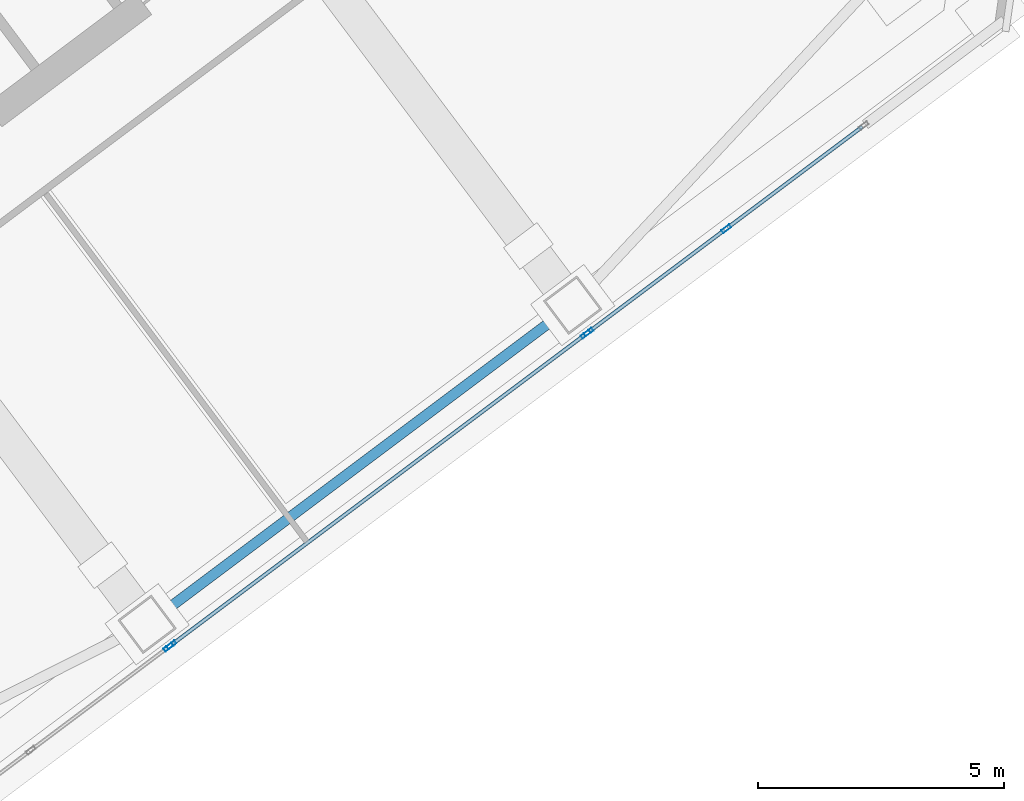
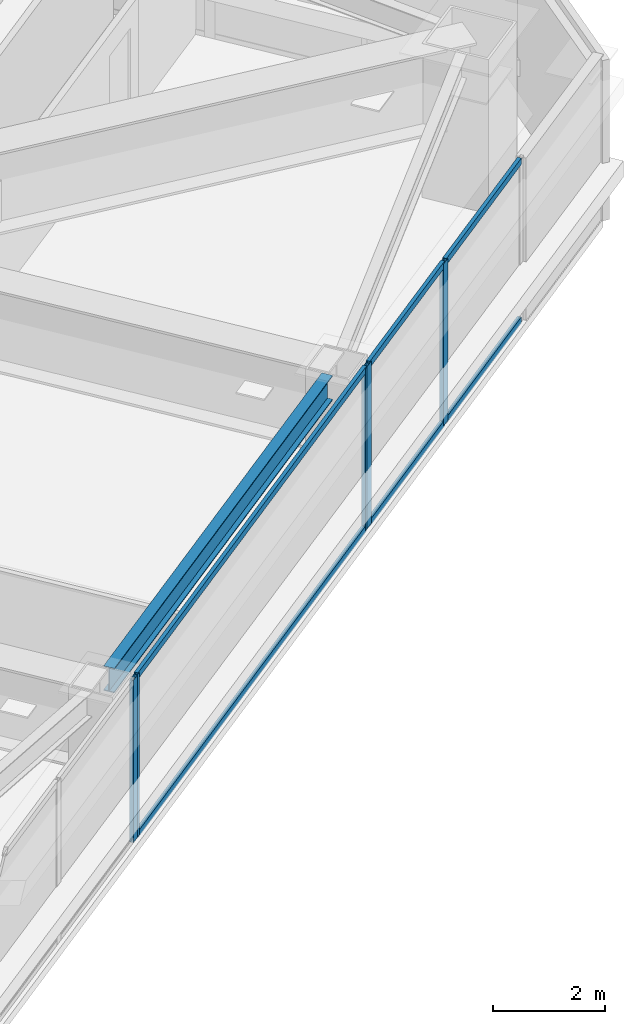
# One storey, part 23 of 42: 11 members, 1 beam, 3 elements without a shape of their own.
"""IFC4 building model written with IfcOpenShell, lengths in metres."""

from ifc_helpers import new_model, si_unit, direction, frame, origin, origin_2d, place, context, subcontext, project, spatial, hollow_rectangle, i_section, extrude, material, material_profile, profile_set, type_object, element, aggregate, save


model = new_model("IFC4")

# Units and contexts
model_context = context("Model", 3, precision=1e-05, world=origin(), true_north=direction((0.0, 1.0)))
body_context = subcontext(model_context, "Body", "Model", "MODEL_VIEW")
ifc_project = project(units=[si_unit("LENGTHUNIT", "METRE"), si_unit("AREAUNIT", "SQUARE_METRE"), si_unit("VOLUMEUNIT", "CUBIC_METRE"), si_unit("PLANEANGLEUNIT", "RADIAN"), si_unit("MASSUNIT", "GRAM", prefix="KILO")], contexts=[model_context])

# Site, building, storey
site_placement = place(None, origin())
site = spatial("IfcSite", under=ifc_project, at=site_placement, CompositionType="ELEMENT")
building_placement = place(site_placement, origin())
building = spatial("IfcBuilding", under=site, at=building_placement, Name="Tashvorn Skyway Center", CompositionType="ELEMENT")
storey_placement = place(building_placement, frame((0.0, 0.0, 153.449951171875)))
storey = spatial("IfcBuildingStorey", under=building, at=storey_placement, Name="L41", CompositionType="ELEMENT", Elevation=153.449951171875)

# Beam
ifc_material_1 = material(Name="Steel ASTM A992 Grade 50", Category="steel")
ifc_material_profile_1 = material_profile(ifc_material_1, i_section(OverallWidth=0.2109375, OverallDepth=0.5390625, WebThickness=0.01171875, FlangeThickness=0.018798828125, at=origin_2d()), Name="W21X73")
ifc_profile_set_1 = profile_set([ifc_material_profile_1], Name="Steel ASTM A992 Grade 50")
beam_type = type_object("IfcBeamType", Name="BM-SPANDREL-W21X73", PredefinedType="SPANDREL", material=ifc_profile_set_1)
beam_placement = place(storey_placement, frame((120.60595703125, 14.89208984375, 3.1005859375), z_axis=(0.800008824351, 0.599988234018, 0.0), x_axis=(-0.599988234018, 0.800008824351, 0.0)))
element("IfcBeam", 1, at=beam_placement, inside=storey, type_object=beam_type, Name="Tower 2 L41 Spandrel Beam 02", PredefinedType="SPANDREL", context=body_context, shape_type="SweptSolid", body=[
    extrude(i_section(OverallWidth=0.2109375, OverallDepth=0.5390625, WebThickness=0.01171875, FlangeThickness=0.018798828125, at=origin_2d()), origin(), (0.0, 0.0, 1.0), 9.9599609375),
])

# Curtain wall, members
ifc_material_2 = material(Name="Thermally broken bronze-anodized aluminium 6063-T6", Category="aluminium")
curtain_wall_type = type_object("IfcCurtainWallType", Name="CW-CW-Z3", PredefinedType="NOTDEFINED", material=ifc_material_2)
curtain_wall_1_placement = place(storey_placement, origin())
curtain_wall_1 = element("IfcCurtainWall", 2, at=curtain_wall_1_placement, inside=storey, type_object=curtain_wall_type, Name="Tower 2 L41 South Unitised Curtain Wall Glazing Group 1", PredefinedType="NOTDEFINED")
ifc_material_profile_2 = material_profile(ifc_material_2, hollow_rectangle(XDim=0.074951171875, YDim=0.199951171875, WallThickness=0.00439453125, at=origin_2d()), Name="ALU-MULL-75x200")
ifc_profile_set_2 = profile_set([ifc_material_profile_2], Name="Thermally broken bronze-anodized aluminium 6063-T6")
member_type_1 = type_object("IfcMemberType", Name="CWM-CW-Z3", PredefinedType="MULLION", material=ifc_profile_set_2)
member_1_placement = place(storey_placement, frame((132.02587890625, 22.66943359375, 0.0), z_axis=(0.0, 0.0, 1.0), x_axis=(0.600004533995, -0.799996599484, 0.0)))
member_1 = element("IfcMember", 3, at=member_1_placement, type_object=member_type_1, Name="CW-Z3 mullion 2", PredefinedType="MULLION", context=body_context, shape_type="SweptSolid", body=[
    extrude(hollow_rectangle(XDim=0.074951171875, YDim=0.199951171875, WallThickness=0.00439453125, at=origin_2d()), origin(), (0.0, 0.0, 1.0), 3.550048828125),
])
member_2_placement = place(storey_placement, frame((129.232666015625, 20.574462890625, 0.0), z_axis=(0.0, 0.0, 1.0), x_axis=(0.600004533995, -0.799996599484, 0.0)))
member_2 = element("IfcMember", 4, at=member_2_placement, type_object=member_type_1, Name="CW-Z3 mullion 3", PredefinedType="MULLION", context=body_context, shape_type="SweptSolid", body=[
    extrude(hollow_rectangle(XDim=0.074951171875, YDim=0.199951171875, WallThickness=0.00439453125, at=origin_2d()), origin(), (0.0, 0.0, 1.0), 3.550048828125),
])

curtain_wall_2_placement = place(storey_placement, origin())
curtain_wall_2 = element("IfcCurtainWall", 5, at=curtain_wall_2_placement, inside=storey, type_object=curtain_wall_type, Name="Tower 2 L41 South Unitised Curtain Wall Glazing Group 2", PredefinedType="NOTDEFINED")
member_3_placement = place(storey_placement, frame((129.172607421875, 20.529541015625, 0.0), z_axis=(0.0, 0.0, 1.0), x_axis=(0.599996977339, -0.800002266987, 0.0)))
member_3 = element("IfcMember", 6, at=member_3_placement, type_object=member_type_1, Name="CW-Z3 mullion 1", PredefinedType="MULLION", context=body_context, shape_type="SweptSolid", body=[
    extrude(hollow_rectangle(XDim=0.074951171875, YDim=0.199951171875, WallThickness=0.00439453125, at=origin_2d()), origin(), (0.0, 0.0, 1.0), 3.550048828125),
])
member_4_placement = place(storey_placement, frame((120.76318359375, 14.222412109375, 0.0), z_axis=(0.0, 0.0, 1.0), x_axis=(0.599996977339, -0.800002266987, 0.0)))
member_4 = element("IfcMember", 7, at=member_4_placement, type_object=member_type_1, Name="CW-Z3 mullion 2", PredefinedType="MULLION", context=body_context, shape_type="SweptSolid", body=[
    extrude(hollow_rectangle(XDim=0.074951171875, YDim=0.199951171875, WallThickness=0.00439453125, at=origin_2d()), origin(), (0.0, 0.0, 1.0), 3.550048828125),
])

# Curtain wall, member
curtain_wall_3_placement = place(storey_placement, origin())
curtain_wall_3 = element("IfcCurtainWall", 8, at=curtain_wall_3_placement, inside=storey, type_object=curtain_wall_type, Name="Tower 2 L41 South Unitised Curtain Wall Glazing Group 3", PredefinedType="NOTDEFINED")
member_5_placement = place(storey_placement, frame((120.703369140625, 14.177490234375, 0.0), z_axis=(0.0, 0.0, 1.0), x_axis=(0.600004533995, -0.799996599484, 0.0)))
member_5 = element("IfcMember", 9, at=member_5_placement, type_object=member_type_1, Name="CW-Z3 mullion 1", PredefinedType="MULLION", context=body_context, shape_type="SweptSolid", body=[
    extrude(hollow_rectangle(XDim=0.074951171875, YDim=0.199951171875, WallThickness=0.00439453125, at=origin_2d()), origin(), (0.0, 0.0, 1.0), 3.550048828125),
])
aggregate(curtain_wall_3, [member_5])

# Member
ifc_material_profile_3 = material_profile(ifc_material_2, hollow_rectangle(XDim=0.074951171875, YDim=0.139892578125, WallThickness=0.004150390625, at=origin_2d()), Name="ALU-TRAN-75x140")
ifc_profile_set_3 = profile_set([ifc_material_profile_3], Name="Thermally broken bronze-anodized aluminium 6063-T6")
member_type_2 = type_object("IfcMemberType", Name="CWT-CW-Z3", PredefinedType="USERDEFINED", material=ifc_profile_set_3)
member_6_placement = place(storey_placement, frame((134.788818359375, 24.74169921875, 0.03759765625), z_axis=(-0.799982847995, -0.600022868659, 0.0), x_axis=(0.600022868659, -0.799982847995, 0.0)))
member_6 = element("IfcMember", 10, at=member_6_placement, type_object=member_type_2, Name="CW-Z3 transom 1.1", ObjectType="TRANSOM", PredefinedType="USERDEFINED", context=body_context, shape_type="SweptSolid", body=[
    extrude(hollow_rectangle(XDim=0.074951171875, YDim=0.139892578125, WallThickness=0.004150390625, at=origin_2d()), origin(), (0.0, 0.0, 1.0), 3.416259765625),
])

member_7_placement = place(storey_placement, frame((134.788818359375, 24.74169921875, 3.512451171875), z_axis=(-0.799982847995, -0.600022868659, 0.0), x_axis=(0.600022868659, -0.799982847995, 0.0)))
member_7 = element("IfcMember", 11, at=member_7_placement, type_object=member_type_2, Name="CW-Z3 transom 1.2", ObjectType="TRANSOM", PredefinedType="USERDEFINED", context=body_context, shape_type="SweptSolid", body=[
    extrude(hollow_rectangle(XDim=0.074951171875, YDim=0.139892578125, WallThickness=0.004150390625, at=origin_2d()), origin(), (0.0, 0.0, 1.0), 3.416259765625),
])

member_8_placement = place(storey_placement, frame((131.995849609375, 22.646728515625, 0.03759765625), z_axis=(-0.800008575267, -0.59998856614, 0.0), x_axis=(0.59998856614, -0.800008575267, 0.0)))
member_8 = element("IfcMember", 12, at=member_8_placement, type_object=member_type_2, Name="CW-Z3 transom 2.1", ObjectType="TRANSOM", PredefinedType="USERDEFINED", context=body_context, shape_type="SweptSolid", body=[
    extrude(hollow_rectangle(XDim=0.074951171875, YDim=0.139892578125, WallThickness=0.004150390625, at=origin_2d()), origin(), (0.0, 0.0, 1.0), 3.41650390625),
])

member_9_placement = place(storey_placement, frame((131.995849609375, 22.646728515625, 3.512451171875), z_axis=(-0.800008575267, -0.59998856614, 0.0), x_axis=(0.59998856614, -0.800008575267, 0.0)))
member_9 = element("IfcMember", 13, at=member_9_placement, type_object=member_type_2, Name="CW-Z3 transom 2.2", ObjectType="TRANSOM", PredefinedType="USERDEFINED", context=body_context, shape_type="SweptSolid", body=[
    extrude(hollow_rectangle(XDim=0.074951171875, YDim=0.139892578125, WallThickness=0.004150390625, at=origin_2d()), origin(), (0.0, 0.0, 1.0), 3.41650390625),
])

aggregate(curtain_wall_1, [member_1, member_2, member_6, member_7, member_8, member_9])

member_10_placement = place(storey_placement, frame((129.142578125, 20.507080078125, 0.03759765625), z_axis=(-0.800002807101, -0.599996257181, 0.0), x_axis=(0.599996257181, -0.800002807101, 0.0)))
member_10 = element("IfcMember", 14, at=member_10_placement, type_object=member_type_2, Name="CW-Z3 transom 1.1", ObjectType="TRANSOM", PredefinedType="USERDEFINED", context=body_context, shape_type="SweptSolid", body=[
    extrude(hollow_rectangle(XDim=0.074951171875, YDim=0.139892578125, WallThickness=0.004150390625, at=origin_2d()), origin(), (0.0, 0.0, 1.0), 10.436767578125),
])

member_11_placement = place(storey_placement, frame((129.142578125, 20.507080078125, 3.512451171875), z_axis=(-0.800002807101, -0.599996257181, 0.0), x_axis=(0.599996257181, -0.800002807101, 0.0)))
member_11 = element("IfcMember", 15, at=member_11_placement, type_object=member_type_2, Name="CW-Z3 transom 1.2", ObjectType="TRANSOM", PredefinedType="USERDEFINED", context=body_context, shape_type="SweptSolid", body=[
    extrude(hollow_rectangle(XDim=0.074951171875, YDim=0.139892578125, WallThickness=0.004150390625, at=origin_2d()), origin(), (0.0, 0.0, 1.0), 10.436767578125),
])

aggregate(curtain_wall_2, [member_3, member_4, member_10, member_11])

save(model, "model.ifc")
